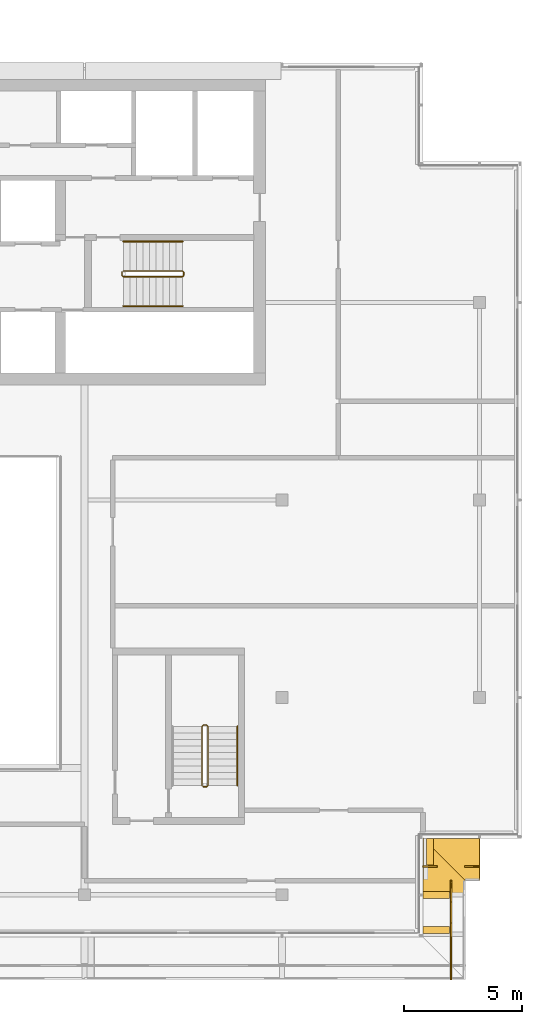
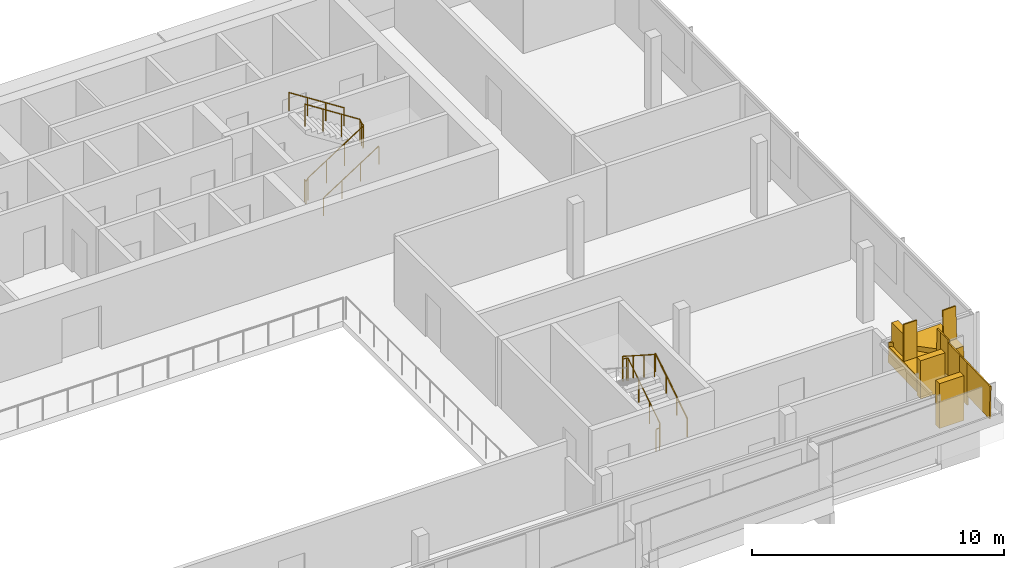
# One storey, part 18 of 21: 11 railings, 5 coverings.
"""IFC4 building model written with IfcOpenShell, lengths in metres."""

from ifc_helpers import new_model, si_unit, direction, frame, origin, origin_2d, place, context, subcontext, project, spatial, polyline, rectangle, circle, outline, extrude, material, layer, layer_set, type_object, element, save


model = new_model("IFC4")

# Units and contexts
model_context = context("Model", 3, precision=1e-05, world=origin(), true_north=direction((0.0, 1.0)))
body_context = subcontext(model_context, "Body", "Model", "MODEL_VIEW")
ifc_project = project(units=[si_unit("LENGTHUNIT", "METRE"), si_unit("AREAUNIT", "SQUARE_METRE"), si_unit("VOLUMEUNIT", "CUBIC_METRE"), si_unit("PLANEANGLEUNIT", "RADIAN"), si_unit("MASSUNIT", "GRAM", prefix="KILO")], contexts=[model_context])

# Site, building, storey
site_placement = place(None, origin())
site = spatial("IfcSite", under=ifc_project, at=site_placement, CompositionType="ELEMENT")
building_placement = place(site_placement, origin())
building = spatial("IfcBuilding", under=site, at=building_placement, Name="Saffron Gate Tower", CompositionType="ELEMENT")
storey_placement = place(building_placement, frame((0.0, 0.0, 299.550048828125)))
storey = spatial("IfcBuildingStorey", under=building, at=storey_placement, Name="L73", CompositionType="ELEMENT", Elevation=299.550048828125)

# Railings
ifc_material_1 = material(Name="Stainless steel and laminated glass", Category="steel")
railing_type_1 = type_object("IfcRailingType", Name="CR1 Stair guard 1100", PredefinedType="GUARDRAIL", material=ifc_material_1)
railing_1_placement = place(storey_placement, frame((101.800048828125, 66.699951171875, 0.0)))
element("IfcRailing", 1, at=railing_1_placement, inside=storey, type_object=railing_type_1, Name="L73 ST-B stair guard 1", PredefinedType="GUARDRAIL", context=body_context, shape_type="SweptSolid", body=[
    extrude(circle(Radius=0.02392578125, at=origin_2d()), frame((0.0, 0.0, 1.076171875), z_axis=(0.0, -1.0, 0.0), x_axis=(1.0, 0.0, 0.0)), (0.0, 0.0, 1.0), 0.14990234375),
    extrude(circle(Radius=0.02392578125, at=origin_2d()), frame((0.0, -0.14990234375, 1.076171875), z_axis=(0.258847668887, -0.258847668887, 0.930588936439), x_axis=(0.707106781187, 0.707106781187, 0.0)), (0.0, 0.0, 1.0), 0.193359375),
    extrude(circle(Radius=0.02392578125, at=origin_2d()), frame((0.050048828125, -0.199951171875, 1.255859375), z_axis=(0.841162588446, 0.0, 0.540782303519), x_axis=(0.0, 1.0, 0.0)), (0.0, 0.0, 1.0), 2.995849609375),
    extrude(circle(Radius=0.02392578125, at=origin_2d()), frame((2.570068359375, -0.199951171875, 2.8759765625), z_axis=(0.705375805398, 0.708833529934, 0.0), x_axis=(-0.708833529934, 0.705375805398, 0.0)), (0.0, 0.0, 1.0), 0.070556640625),
    extrude(circle(Radius=0.02392578125, at=origin_2d()), frame((2.619873046875, -0.14990234375, 2.8759765625), z_axis=(0.0, 1.0, 0.0), x_axis=(-1.0, 0.0, 0.0)), (0.0, 0.0, 1.0), 0.14990234375),
    extrude(circle(Radius=0.02392578125, at=origin_2d()), frame((2.619873046875, 0.0, 2.8759765625), z_axis=(-0.257669022063, 0.258932105505, 0.930892496375), x_axis=(-0.708833529934, -0.705375805398, 0.0)), (0.0, 0.0, 1.0), 0.193359375),
    extrude(circle(Radius=0.02392578125, at=origin_2d()), frame((2.570068359375, 0.050048828125, 3.05615234375), z_axis=(-0.841199657755, 0.0, 0.540724639528), x_axis=(0.0, -1.0, 0.0)), (0.0, 0.0, 1.0), 2.995849609375),
    extrude(circle(Radius=0.02099609375, at=origin_2d()), origin(), (0.0, 0.0, 1.0), 1.052001953125),
    extrude(circle(Radius=0.02099609375, at=origin_2d()), frame((0.0, -0.14990234375, 0.0)), (0.0, 0.0, 1.0), 1.052001953125),
    extrude(circle(Radius=0.02099609375, at=origin_2d()), frame((0.050048828125, -0.199951171875, 0.179931640625)), (0.0, 0.0, 1.0), 1.052001953125),
    extrude(circle(Radius=0.02099609375, at=origin_2d()), frame((0.89013671875, -0.199951171875, 0.719970703125)), (0.0, 0.0, 1.0), 1.052001953125),
    extrude(circle(Radius=0.02099609375, at=origin_2d()), frame((1.72998046875, -0.199951171875, 1.260009765625)), (0.0, 0.0, 1.0), 1.052001953125),
    extrude(circle(Radius=0.02099609375, at=origin_2d()), frame((2.570068359375, -0.199951171875, 1.800048828125)), (0.0, 0.0, 1.0), 1.052001953125),
    extrude(circle(Radius=0.02099609375, at=origin_2d()), frame((2.619873046875, -0.14990234375, 1.800048828125)), (0.0, 0.0, 1.0), 1.052001953125),
    extrude(circle(Radius=0.02099609375, at=origin_2d()), frame((2.619873046875, 0.0, 1.800048828125)), (0.0, 0.0, 1.0), 1.052001953125),
    extrude(circle(Radius=0.02099609375, at=origin_2d()), frame((2.570068359375, 0.050048828125, 1.97998046875)), (0.0, 0.0, 1.0), 1.052001953125),
    extrude(circle(Radius=0.02099609375, at=origin_2d()), frame((1.72998046875, 0.050048828125, 2.52001953125)), (0.0, 0.0, 1.0), 1.052001953125),
    extrude(circle(Radius=0.02099609375, at=origin_2d()), frame((0.89013671875, 0.050048828125, 3.059814453125)), (0.0, 0.0, 1.0), 1.052001953125),
    extrude(circle(Radius=0.02099609375, at=origin_2d()), frame((0.050048828125, 0.050048828125, 3.599853515625)), (0.0, 0.0, 1.0), 1.052001953125),
])
railing_2_placement = place(storey_placement, frame((105.25, 44.800048828125, 0.0)))
element("IfcRailing", 2, at=railing_2_placement, inside=storey, type_object=railing_type_1, Name="L73 ST-E stair guard 1", PredefinedType="GUARDRAIL", context=body_context, shape_type="SweptSolid", body=[
    extrude(circle(Radius=0.02392578125, at=origin_2d()), frame((0.0, 0.0, 1.076171875), z_axis=(1.0, 0.0, 0.0), x_axis=(0.0, 1.0, 0.0)), (0.0, 0.0, 1.0), 0.14990234375),
    extrude(circle(Radius=0.02392578125, at=origin_2d()), frame((0.14990234375, 0.0, 1.076171875), z_axis=(0.258847668887, 0.258847668887, 0.930588936439), x_axis=(-0.707106781187, 0.707106781187, 0.0)), (0.0, 0.0, 1.0), 0.193359375),
    extrude(circle(Radius=0.02392578125, at=origin_2d()), frame((0.199951171875, 0.050048828125, 1.255859375), z_axis=(0.0, 0.841162588446, 0.540782303519), x_axis=(-1.0, 0.0, 0.0)), (0.0, 0.0, 1.0), 2.995849609375),
    extrude(circle(Radius=0.02392578125, at=origin_2d()), frame((0.199951171875, 2.570068359375, 2.8759765625), z_axis=(-0.708833529934, 0.705375805398, 0.0), x_axis=(-0.705375805398, -0.708833529934, 0.0)), (0.0, 0.0, 1.0), 0.070556640625),
    extrude(circle(Radius=0.02392578125, at=origin_2d()), frame((0.14990234375, 2.619873046875, 2.8759765625), z_axis=(-1.0, 0.0, 0.0), x_axis=(0.0, -1.0, 0.0)), (0.0, 0.0, 1.0), 0.14990234375),
    extrude(circle(Radius=0.02392578125, at=origin_2d()), frame((0.0, 2.619873046875, 2.8759765625), z_axis=(-0.258932105505, -0.257669022063, 0.930892496375), x_axis=(0.705375805398, -0.708833529934, 0.0)), (0.0, 0.0, 1.0), 0.193359375),
    extrude(circle(Radius=0.02392578125, at=origin_2d()), frame((-0.050048828125, 2.570068359375, 3.05615234375), z_axis=(0.0, -0.841199657755, 0.540724639528), x_axis=(1.0, 0.0, 0.0)), (0.0, 0.0, 1.0), 2.995849609375),
    extrude(circle(Radius=0.02099609375, at=origin_2d()), origin(), (0.0, 0.0, 1.0), 1.052001953125),
    extrude(circle(Radius=0.02099609375, at=origin_2d()), frame((0.14990234375, 0.0, 0.0)), (0.0, 0.0, 1.0), 1.052001953125),
    extrude(circle(Radius=0.02099609375, at=origin_2d()), frame((0.199951171875, 0.050048828125, 0.179931640625)), (0.0, 0.0, 1.0), 1.052001953125),
    extrude(circle(Radius=0.02099609375, at=origin_2d()), frame((0.199951171875, 0.89013671875, 0.719970703125)), (0.0, 0.0, 1.0), 1.052001953125),
    extrude(circle(Radius=0.02099609375, at=origin_2d()), frame((0.199951171875, 1.72998046875, 1.260009765625)), (0.0, 0.0, 1.0), 1.052001953125),
    extrude(circle(Radius=0.02099609375, at=origin_2d()), frame((0.199951171875, 2.570068359375, 1.800048828125)), (0.0, 0.0, 1.0), 1.052001953125),
    extrude(circle(Radius=0.02099609375, at=origin_2d()), frame((0.14990234375, 2.619873046875, 1.800048828125)), (0.0, 0.0, 1.0), 1.052001953125),
    extrude(circle(Radius=0.02099609375, at=origin_2d()), frame((0.0, 2.619873046875, 1.800048828125)), (0.0, 0.0, 1.0), 1.052001953125),
    extrude(circle(Radius=0.02099609375, at=origin_2d()), frame((-0.050048828125, 2.570068359375, 1.97998046875)), (0.0, 0.0, 1.0), 1.052001953125),
    extrude(circle(Radius=0.02099609375, at=origin_2d()), frame((-0.050048828125, 1.72998046875, 2.52001953125)), (0.0, 0.0, 1.0), 1.052001953125),
    extrude(circle(Radius=0.02099609375, at=origin_2d()), frame((-0.050048828125, 0.89013671875, 3.059814453125)), (0.0, 0.0, 1.0), 1.052001953125),
    extrude(circle(Radius=0.02099609375, at=origin_2d()), frame((-0.050048828125, 0.050048828125, 3.599853515625)), (0.0, 0.0, 1.0), 1.052001953125),
])
ifc_material_2 = material(Name="Stainless steel", Category="steel")
railing_type_2 = type_object("IfcRailingType", Name="CR2 Stair handrail 900", PredefinedType="HANDRAIL", material=ifc_material_2)
railing_3_placement = place(storey_placement, frame((101.85009765625, 65.25, 0.179931640625)))
element("IfcRailing", 3, at=railing_3_placement, inside=storey, type_object=railing_type_2, Name="L73 ST-B stair handrail 1", PredefinedType="HANDRAIL", context=body_context, shape_type="SweptSolid", body=[
    extrude(circle(Radius=0.02392578125, at=origin_2d()), frame((0.0, 0.0, 0.8759765625), z_axis=(0.841162588446, 0.0, 0.540782303519), x_axis=(0.0, 1.0, 0.0)), (0.0, 0.0, 1.0), 2.995849609375),
    extrude(circle(Radius=0.02099609375, at=origin_2d()), origin(), (0.0, 0.0, 1.0), 0.851806640625),
    extrude(circle(Radius=0.02099609375, at=origin_2d()), frame((0.840087890625, 0.0, 0.5400390625)), (0.0, 0.0, 1.0), 0.851806640625),
    extrude(circle(Radius=0.02099609375, at=origin_2d()), frame((1.679931640625, 0.0, 1.080078125)), (0.0, 0.0, 1.0), 0.851806640625),
    extrude(circle(Radius=0.02099609375, at=origin_2d()), frame((2.52001953125, 0.0, 1.6201171875)), (0.0, 0.0, 1.0), 0.851806640625),
])
railing_4_placement = place(storey_placement, frame((104.3701171875, 68.0, 1.97998046875)))
element("IfcRailing", 4, at=railing_4_placement, inside=storey, type_object=railing_type_2, Name="L73 ST-B stair handrail 2", PredefinedType="HANDRAIL", context=body_context, shape_type="SweptSolid", body=[
    extrude(circle(Radius=0.02392578125, at=origin_2d()), frame((0.0, 0.0, 0.8759765625), z_axis=(-0.841199657755, 0.0, 0.540724639528), x_axis=(0.0, -1.0, 0.0)), (0.0, 0.0, 1.0), 2.995849609375),
    extrude(circle(Radius=0.02099609375, at=origin_2d()), origin(), (0.0, 0.0, 1.0), 0.851806640625),
    extrude(circle(Radius=0.02099609375, at=origin_2d()), frame((-0.840087890625, 0.0, 0.5400390625)), (0.0, 0.0, 1.0), 0.851806640625),
    extrude(circle(Radius=0.02099609375, at=origin_2d()), frame((-1.679931640625, 0.0, 1.079833984375)), (0.0, 0.0, 1.0), 0.851806640625),
    extrude(circle(Radius=0.02099609375, at=origin_2d()), frame((-2.52001953125, 0.0, 1.619873046875)), (0.0, 0.0, 1.0), 0.851806640625),
])
railing_5_placement = place(storey_placement, frame((106.699951171875, 44.85009765625, 0.179931640625)))
element("IfcRailing", 5, at=railing_5_placement, inside=storey, type_object=railing_type_2, Name="L73 ST-E stair handrail 1", PredefinedType="HANDRAIL", context=body_context, shape_type="SweptSolid", body=[
    extrude(circle(Radius=0.02392578125, at=origin_2d()), frame((0.0, 0.0, 0.8759765625), z_axis=(0.0, 0.841162588446, 0.540782303519), x_axis=(-1.0, 0.0, 0.0)), (0.0, 0.0, 1.0), 2.995849609375),
    extrude(circle(Radius=0.02099609375, at=origin_2d()), origin(), (0.0, 0.0, 1.0), 0.851806640625),
    extrude(circle(Radius=0.02099609375, at=origin_2d()), frame((0.0, 0.840087890625, 0.5400390625)), (0.0, 0.0, 1.0), 0.851806640625),
    extrude(circle(Radius=0.02099609375, at=origin_2d()), frame((0.0, 1.679931640625, 1.080078125)), (0.0, 0.0, 1.0), 0.851806640625),
    extrude(circle(Radius=0.02099609375, at=origin_2d()), frame((0.0, 2.52001953125, 1.6201171875)), (0.0, 0.0, 1.0), 0.851806640625),
])

# Coverings
ifc_material_3 = material(Name="Timber, thermally modified ash", Category="wood")
ifc_layer_1 = layer(ifc_material_3, 0.800048828125)
ifc_layer_set_1 = layer_set([ifc_layer_1], Name="LD1 ledge timber")
covering_type_1 = type_object("IfcCoveringType", Name="LD1 ledge timber", PredefinedType="CLADDING", material=ifc_layer_set_1)
covering_1_placement = place(storey_placement, frame((114.60009765625, 40.199951171875, 3.083740234375), z_axis=(-2.633725e-05, -0.028794305201, 0.999585357683), x_axis=(-5.2e-10, 0.99958535803, 0.028794305211)))
element("IfcCovering", 6, at=covering_1_placement, inside=storey, type_object=covering_type_1, Name="LEDGE", PredefinedType="CLADDING", context=body_context, shape_type="SweptSolid", body=[
    extrude(outline(polyline([(0.0, 0.0), (2.401140733194568, 0.0), (0.6003479496762917, -1.7998046884363594), (-9.35780540827906e-10, -1.799804686875782), (0.0, 0.0)])), origin(), (0.0, 0.0, -1.0), 0.800048828125),
])
covering_2_placement = place(storey_placement, frame((114.60009765625, 42.60009765625, 3.33984375), z_axis=(-0.028715367168, 8.2902309e-05, 0.999587625381), x_axis=(0.999587628816, -5.153e-09, 0.028715367267)))
element("IfcCovering", 7, at=covering_2_placement, inside=storey, type_object=covering_type_1, Name="LEDGE", PredefinedType="CLADDING", context=body_context, shape_type="SweptSolid", body=[
    extrude(outline(polyline([(0.0, 0.0), (2.4008966895022996, 0.0), (2.4008966987776077, -1.800048821939319), (1.800555764368596, -1.800048837404124), (0.0, 0.0)])), origin(), (0.0, 0.0, -1.0), 0.800048828125),
])
ifc_layer_2 = layer(ifc_material_3, 0.300048828125)
ifc_layer_set_2 = layer_set([ifc_layer_2], Name="LD3 ledge riser fin")
covering_type_2 = type_object("IfcCoveringType", Name="LD3 ledge riser fin", PredefinedType="CLADDING", material=ifc_layer_set_2)
covering_3_placement = place(storey_placement, frame((115.159912109375, 38.699951171875, 1.624267578125), z_axis=(0.0, 0.0, 1.0), x_axis=(0.0, 1.0, 0.0)))
element("IfcCovering", 8, at=covering_3_placement, inside=storey, type_object=covering_type_2, Name="LEDGE riser fin", PredefinedType="CLADDING", context=body_context, shape_type="SweptSolid", body=[
    extrude(rectangle(XDim=0.300048828125, YDim=1.1201171875, at=origin_2d()), origin(), (0.0, 0.0, 1.0), 2.16748046875),
])
covering_4_placement = place(storey_placement, frame((115.159912109375, 40.199951171875, 2.1435546875), z_axis=(0.0, 0.0, 1.0), x_axis=(0.0, 1.0, 0.0)))
element("IfcCovering", 9, at=covering_4_placement, inside=storey, type_object=covering_type_2, Name="LEDGE riser fin", PredefinedType="CLADDING", context=body_context, shape_type="SweptSolid", body=[
    extrude(rectangle(XDim=0.300048828125, YDim=1.1201171875, at=origin_2d()), origin(), (0.0, 0.0, 1.0), 1.84033203125),
])
covering_5_placement = place(storey_placement, frame((114.89990234375, 42.0400390625, 2.35302734375), z_axis=(0.0, 0.0, 1.0), x_axis=(1.0, 0.0, 0.0)))
element("IfcCovering", 10, at=covering_5_placement, inside=storey, type_object=covering_type_2, Name="LEDGE riser fin", PredefinedType="CLADDING", context=body_context, shape_type="SweptSolid", body=[
    extrude(rectangle(XDim=0.300048828125, YDim=1.1201171875, at=origin_2d()), origin(), (0.0, 0.0, 1.0), 1.886962890625),
])

# Railings
railing_type_3 = type_object("IfcRailingType", Name="LG1 ledge balustrade", PredefinedType="BALUSTRADE", material=ifc_material_3)
railing_6_placement = place(storey_placement, frame((115.800048828125, 36.60009765625, 2.83984375)))
element("IfcRailing", 11, at=railing_6_placement, inside=storey, type_object=railing_type_3, Name="LEDGE BALUSTRADE", PredefinedType="BALUSTRADE", context=body_context, shape_type="SweptSolid", body=[
    extrude(rectangle(XDim=0.06005859375, YDim=1.60009765625, at=origin_2d()), frame((0.0, 0.0, 0.800048828125), z_axis=(0.0, 0.999584866472, 0.028811364412), x_axis=(-1.0, 0.0, 0.0)), (0.0, 0.0, 1.0), 3.601318359375),
])
railing_7_placement = place(storey_placement, frame((115.800048828125, 38.39990234375, 2.42431640625)))
element("IfcRailing", 12, at=railing_7_placement, inside=storey, type_object=railing_type_3, Name="LEDGE BALUSTRADE", PredefinedType="BALUSTRADE", context=body_context, shape_type="SweptSolid", body=[
    extrude(rectangle(XDim=0.06005859375, YDim=2.0673828125, at=origin_2d()), frame((0.0, 0.0, 1.03369140625), z_axis=(0.0, 1.0, 0.0), x_axis=(-1.0, 0.0, 0.0)), (0.0, 0.0, 1.0), 0.60009765625),
])
railing_8_placement = place(storey_placement, frame((115.800048828125, 40.199951171875, 3.083740234375)))
element("IfcRailing", 13, at=railing_8_placement, inside=storey, type_object=railing_type_3, Name="LEDGE BALUSTRADE", PredefinedType="BALUSTRADE", context=body_context, shape_type="SweptSolid", body=[
    extrude(rectangle(XDim=0.06005859375, YDim=1.60009765625, at=origin_2d()), frame((0.0, 0.0, 0.800048828125), z_axis=(0.0, 0.999583081391, 0.028873229772), x_axis=(-1.0, 0.0, 0.0)), (0.0, 0.0, 1.0), 0.600341796875),
])
railing_9_placement = place(storey_placement, frame((115.800048828125, 39.89990234375, 2.943603515625)))
element("IfcRailing", 14, at=railing_9_placement, inside=storey, type_object=railing_type_3, Name="LEDGE BALUSTRADE", PredefinedType="BALUSTRADE", context=body_context, shape_type="SweptSolid", body=[
    extrude(rectangle(XDim=0.06005859375, YDim=1.740234375, at=origin_2d()), frame((0.0, 0.0, 0.8701171875), z_axis=(0.0, 1.0, 0.0), x_axis=(-1.0, 0.0, 0.0)), (0.0, 0.0, 1.0), 0.60009765625),
])
railing_10_placement = place(storey_placement, frame((116.39990234375, 41.39990234375, 3.391845703125)))
element("IfcRailing", 15, at=railing_10_placement, inside=storey, type_object=railing_type_3, Name="LEDGE BALUSTRADE", PredefinedType="BALUSTRADE", context=body_context, shape_type="SweptSolid", body=[
    extrude(rectangle(XDim=0.06005859375, YDim=1.60009765625, at=origin_2d()), frame((0.0, 0.0, 0.800048828125), z_axis=(0.999594735783, 0.0, 0.028466896463), x_axis=(0.0, 1.0, 0.0)), (0.0, 0.0, 1.0), 0.600341796875),
])
railing_11_placement = place(storey_placement, frame((114.60009765625, 41.39990234375, 3.15283203125)))
element("IfcRailing", 16, at=railing_11_placement, inside=storey, type_object=railing_type_3, Name="LEDGE BALUSTRADE", PredefinedType="BALUSTRADE", context=body_context, shape_type="SweptSolid", body=[
    extrude(rectangle(XDim=0.06005859375, YDim=1.787109375, at=origin_2d()), frame((0.0, 0.0, 0.8935546875), z_axis=(1.0, 0.0, 0.0), x_axis=(0.0, 1.0, 0.0)), (0.0, 0.0, 1.0), 0.599853515625),
])

save(model, "model.ifc")
